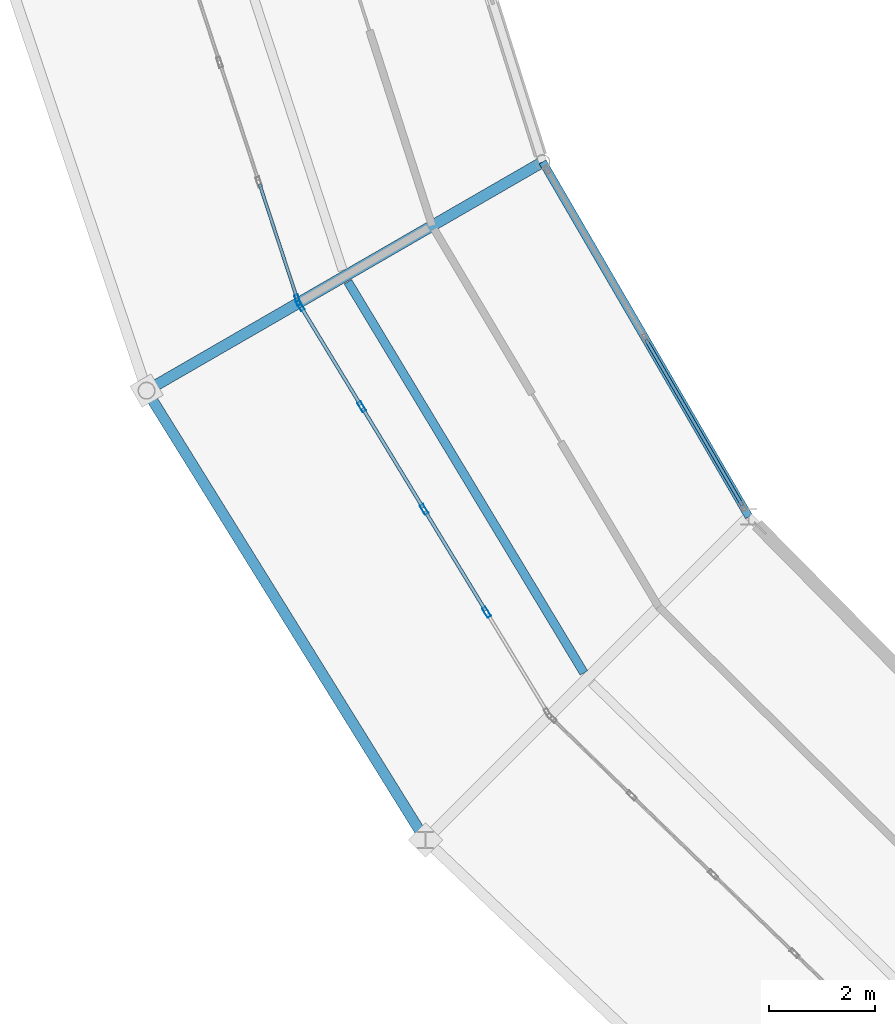
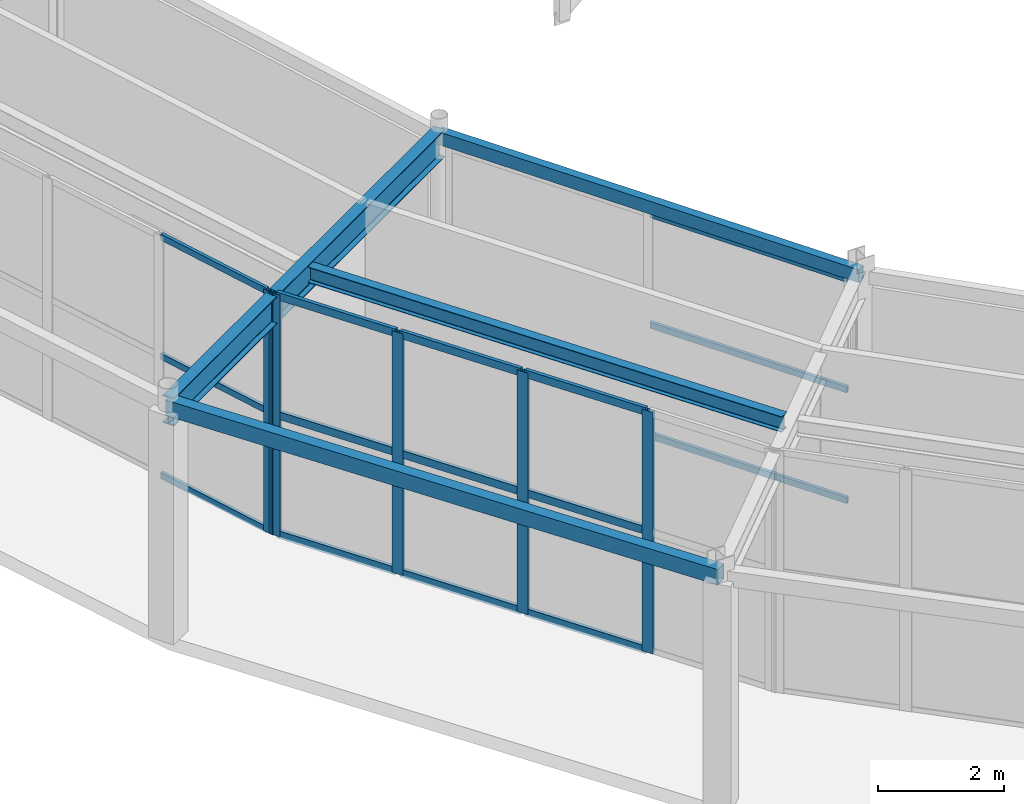
# One storey, part 27 of 144: 20 members, 4 beams, 3 elements without a shape of their own.
"""IFC4 building model written with IfcOpenShell, lengths in metres."""

from ifc_helpers import new_model, si_unit, direction, frame, origin, origin_2d, place, context, subcontext, project, spatial, hollow_rectangle, i_section, extrude, material, material_profile, profile_set, type_object, element, aggregate, save


model = new_model("IFC4")

# Units and contexts
model_context = context("Model", 3, precision=1e-05, world=origin(), true_north=direction((0.0, 1.0)))
body_context = subcontext(model_context, "Body", "Model", "MODEL_VIEW")
ifc_project = project(units=[si_unit("LENGTHUNIT", "METRE"), si_unit("AREAUNIT", "SQUARE_METRE"), si_unit("VOLUMEUNIT", "CUBIC_METRE"), si_unit("PLANEANGLEUNIT", "RADIAN"), si_unit("MASSUNIT", "GRAM", prefix="KILO")], contexts=[model_context])

# Site, building, storey
site_placement = place(None, origin())
site = spatial("IfcSite", under=ifc_project, at=site_placement, CompositionType="ELEMENT")
building_placement = place(site_placement, origin())
building = spatial("IfcBuilding", under=site, at=building_placement, Name="Karori Crest Natural Sciences Institute", CompositionType="ELEMENT")
storey_placement = place(building_placement, origin())
storey = spatial("IfcBuildingStorey", under=building, at=storey_placement, Name="L00", CompositionType="ELEMENT", Elevation=0.0)

# Beams
ifc_material_1 = material(Name="Structural steel AS/NZS 3679.1 Grade 350", Category="steel")
ifc_material_profile_1 = material_profile(ifc_material_1, i_section(OverallWidth=0.208984375, OverallDepth=0.532958984375, WebThickness=0.01025390625, FlangeThickness=0.015625, FilletRadius=0.013916015625, at=origin_2d()), Name="530UB92.4")
ifc_profile_set_1 = profile_set([ifc_material_profile_1], Name="Structural steel AS/NZS 3679.1 Grade 350")
beam_type_1 = type_object("IfcBeamType", Name="BT-05", PredefinedType="BEAM", material=ifc_profile_set_1)
beam_1_placement = place(storey_placement, frame((45.26904296875, 33.800048828125, 4.37353515625), z_axis=(-0.866021068297, -0.500007509209, 0.0), x_axis=(0.500007509209, -0.866021068297, 0.0)))
element("IfcBeam", 1, at=beam_1_placement, inside=storey, type_object=beam_type_1, Name="Beam B-0144", PredefinedType="BEAM", context=body_context, shape_type="SweptSolid", body=[
    extrude(i_section(OverallWidth=0.208984375, OverallDepth=0.532958984375, WebThickness=0.01025390625, FlangeThickness=0.015625, FilletRadius=0.013916015625, at=origin_2d()), origin(), (0.0, 0.0, 1.0), 8.599853515625),
])
ifc_material_profile_2 = material_profile(ifc_material_1, i_section(OverallWidth=0.1650390625, OverallDepth=0.303955078125, WebThickness=0.006103515625, FlangeThickness=0.01025390625, FilletRadius=0.010986328125, at=origin_2d()), Name="310UB40.4")
ifc_profile_set_2 = profile_set([ifc_material_profile_2], Name="Structural steel AS/NZS 3679.1 Grade 350")
beam_type_2 = type_object("IfcBeamType", Name="BT-10", PredefinedType="BEAM", material=ifc_profile_set_2)
beam_2_placement = place(storey_placement, frame((41.607177734375, 31.54736328125, 4.488037109375), z_axis=(0.516601017309, -0.856226248672, 0.0), x_axis=(0.856226248672, 0.516601017309, 0.0)))
element("IfcBeam", 2, at=beam_2_placement, inside=storey, type_object=beam_type_2, Name="Beam B-0145", PredefinedType="BEAM", context=body_context, shape_type="SweptSolid", body=[
    extrude(i_section(OverallWidth=0.1650390625, OverallDepth=0.303955078125, WebThickness=0.006103515625, FlangeThickness=0.01025390625, FilletRadius=0.010986328125, at=origin_2d()), origin(), (0.0, 0.0, 1.0), 8.5888671875),
])
ifc_material_2 = material(Name="Hollow structural steel AS/NZS 1163 Grade C350", Category="steel")
ifc_material_profile_3 = material_profile(ifc_material_2, hollow_rectangle(XDim=0.199951171875, YDim=0.300048828125, WallThickness=0.010009765625, at=origin_2d()), Name="RHS300x200x10")
ifc_profile_set_3 = profile_set([ifc_material_profile_3], Name="Hollow structural steel AS/NZS 1163 Grade C350")
beam_type_3 = type_object("IfcBeamType", Name="BT-15", PredefinedType="SPANDREL", material=ifc_profile_set_3)
beam_3_placement = place(storey_placement, frame((37.8212890625, 29.5, 4.489990234375), z_axis=(0.527315195609, -0.849669750244, 0.0), x_axis=(0.849669750244, 0.527315195609, 0.0)))
element("IfcBeam", 3, at=beam_3_placement, inside=storey, type_object=beam_type_3, Name="Beam B-0142", PredefinedType="SPANDREL", context=body_context, shape_type="SweptSolid", body=[
    extrude(hollow_rectangle(XDim=0.199951171875, YDim=0.300048828125, WallThickness=0.010009765625, at=origin_2d()), origin(), (0.0, 0.0, 1.0), 9.945068359375),
])
ifc_material_profile_4 = material_profile(ifc_material_2, hollow_rectangle(XDim=0.14990234375, YDim=0.25, WallThickness=0.009033203125, at=origin_2d()), Name="RHS250x150x9")
ifc_profile_set_4 = profile_set([ifc_material_profile_4], Name="Hollow structural steel AS/NZS 1163 Grade C350")
beam_type_4 = type_object("IfcBeamType", Name="BT-16", PredefinedType="SPANDREL", material=ifc_profile_set_4)
beam_4_placement = place(storey_placement, frame((45.26904296875, 33.800048828125, 4.489990234375), z_axis=(0.502634759064, -0.86449887159, 0.0), x_axis=(0.86449887159, 0.502634759064, 0.0)))
element("IfcBeam", 4, at=beam_4_placement, inside=storey, type_object=beam_type_4, Name="Beam B-0143", PredefinedType="SPANDREL", context=body_context, shape_type="SweptSolid", body=[
    extrude(hollow_rectangle(XDim=0.14990234375, YDim=0.25, WallThickness=0.009033203125, at=origin_2d()), origin(), (0.0, 0.0, 1.0), 7.714111328125),
])

# Curtain wall, member
ifc_material_3 = material(Name="Anodised architectural aluminium 6063-T6", Category="aluminium")
curtain_wall_type_1 = type_object("IfcCurtainWallType", Name="CWT-04", PredefinedType="NOTDEFINED", material=ifc_material_3)
curtain_wall_1_placement = place(storey_placement, origin())
curtain_wall_1 = element("IfcCurtainWall", 5, at=curtain_wall_1_placement, inside=storey, type_object=curtain_wall_type_1, Name="Curtain wall CW-0017", PredefinedType="NOTDEFINED")
ifc_material_profile_5 = material_profile(ifc_material_3, hollow_rectangle(XDim=0.074951171875, YDim=0.199951171875, WallThickness=0.0048828125, at=origin_2d()), Name="CWM200x75x5")
ifc_profile_set_5 = profile_set([ifc_material_profile_5], Name="Anodised architectural aluminium 6063-T6")
member_type_1 = type_object("IfcMemberType", Name="CWM-02", PredefinedType="MULLION", material=ifc_profile_set_5)
member_1_placement = place(storey_placement, frame((40.6611328125, 31.20458984375, 0.0), z_axis=(0.0, 0.0, 1.0), x_axis=(-0.950175969879, -0.311714013584, 0.0)))
member_1 = element("IfcMember", 6, at=member_1_placement, type_object=member_type_1, Name="CW-0017 mullion 1", PredefinedType="MULLION", context=body_context, shape_type="SweptSolid", body=[
    extrude(hollow_rectangle(XDim=0.074951171875, YDim=0.199951171875, WallThickness=0.0048828125, at=origin_2d()), origin(), (0.0, 0.0, 1.0), 4.679931640625),
])

# Curtain wall, members
curtain_wall_type_2 = type_object("IfcCurtainWallType", Name="CWT-05", PredefinedType="NOTDEFINED", material=ifc_material_3)
curtain_wall_2_placement = place(storey_placement, origin())
curtain_wall_2 = element("IfcCurtainWall", 7, at=curtain_wall_2_placement, inside=storey, type_object=curtain_wall_type_2, Name="Curtain wall CW-0018", PredefinedType="NOTDEFINED")
member_2_placement = place(storey_placement, frame((44.213623046875, 25.333740234375, 0.0), z_axis=(0.0, 0.0, 1.0), x_axis=(-0.854567337323, -0.519340606905, 0.0)))
member_2 = element("IfcMember", 8, at=member_2_placement, type_object=member_type_1, Name="CW-0018 mullion 2", PredefinedType="MULLION", context=body_context, shape_type="SweptSolid", body=[
    extrude(hollow_rectangle(XDim=0.074951171875, YDim=0.199951171875, WallThickness=0.0048828125, at=origin_2d()), origin(), (0.0, 0.0, 1.0), 4.679931640625),
])
member_3_placement = place(storey_placement, frame((43.0390625, 27.266845703125, 0.0), z_axis=(0.0, 0.0, 1.0), x_axis=(-0.854567337323, -0.519340606905, 0.0)))
member_3 = element("IfcMember", 9, at=member_3_placement, type_object=member_type_1, Name="CW-0018 mullion 3", PredefinedType="MULLION", context=body_context, shape_type="SweptSolid", body=[
    extrude(hollow_rectangle(XDim=0.074951171875, YDim=0.199951171875, WallThickness=0.0048828125, at=origin_2d()), origin(), (0.0, 0.0, 1.0), 4.679931640625),
])
member_4_placement = place(storey_placement, frame((41.8642578125, 29.19970703125, 0.0), z_axis=(0.0, 0.0, 1.0), x_axis=(-0.854567337323, -0.519340606905, 0.0)))
member_4 = element("IfcMember", 10, at=member_4_placement, type_object=member_type_1, Name="CW-0018 mullion 4", PredefinedType="MULLION", context=body_context, shape_type="SweptSolid", body=[
    extrude(hollow_rectangle(XDim=0.074951171875, YDim=0.199951171875, WallThickness=0.0048828125, at=origin_2d()), origin(), (0.0, 0.0, 1.0), 4.679931640625),
])
member_5_placement = place(storey_placement, frame((40.708984375, 31.100830078125, 0.0), z_axis=(0.0, 0.0, 1.0), x_axis=(-0.854567337323, -0.519340606905, 0.0)))
member_5 = element("IfcMember", 11, at=member_5_placement, type_object=member_type_1, Name="CW-0018 mullion 5", PredefinedType="MULLION", context=body_context, shape_type="SweptSolid", body=[
    extrude(hollow_rectangle(XDim=0.074951171875, YDim=0.199951171875, WallThickness=0.0048828125, at=origin_2d()), origin(), (0.0, 0.0, 1.0), 4.679931640625),
])

# Member
ifc_material_profile_6 = material_profile(ifc_material_3, hollow_rectangle(XDim=0.06005859375, YDim=0.1201171875, WallThickness=0.00390625, at=origin_2d()), Name="CWT120x60x4")
ifc_profile_set_6 = profile_set([ifc_material_profile_6], Name="Anodised architectural aluminium 6063-T6")
member_type_2 = type_object("IfcMemberType", Name="CWT-TR1", PredefinedType="USERDEFINED", material=ifc_profile_set_6)
member_6_placement = place(storey_placement, frame((40.6494140625, 31.240234375, 0.030029296875), z_axis=(-0.311713965884, 0.950175985527, 0.0), x_axis=(-0.950175985527, -0.311713965884, 0.0)))
member_6 = element("IfcMember", 12, at=member_6_placement, type_object=member_type_2, Name="CW-0017 transom 1.1", ObjectType="TRANSOM", PredefinedType="USERDEFINED", context=body_context, shape_type="SweptSolid", body=[
    extrude(hollow_rectangle(XDim=0.06005859375, YDim=0.1201171875, WallThickness=0.00390625, at=origin_2d()), origin(), (0.0, 0.0, 1.0), 2.25732421875),
])

member_7_placement = place(storey_placement, frame((40.6494140625, 31.240234375, 2.340087890625), z_axis=(-0.311713965884, 0.950175985527, 0.0), x_axis=(-0.950175985527, -0.311713965884, 0.0)))
member_7 = element("IfcMember", 13, at=member_7_placement, type_object=member_type_2, Name="CW-0017 transom 1.2", ObjectType="TRANSOM", PredefinedType="USERDEFINED", context=body_context, shape_type="SweptSolid", body=[
    extrude(hollow_rectangle(XDim=0.06005859375, YDim=0.1201171875, WallThickness=0.00390625, at=origin_2d()), origin(), (0.0, 0.0, 1.0), 2.25732421875),
])

member_8_placement = place(storey_placement, frame((40.6494140625, 31.240234375, 4.64990234375), z_axis=(-0.311713965884, 0.950175985527, 0.0), x_axis=(-0.950175985527, -0.311713965884, 0.0)))
member_8 = element("IfcMember", 14, at=member_8_placement, type_object=member_type_2, Name="CW-0017 transom 1.3", ObjectType="TRANSOM", PredefinedType="USERDEFINED", context=body_context, shape_type="SweptSolid", body=[
    extrude(hollow_rectangle(XDim=0.06005859375, YDim=0.1201171875, WallThickness=0.00390625, at=origin_2d()), origin(), (0.0, 0.0, 1.0), 2.25732421875),
])

aggregate(curtain_wall_1, [member_1, member_6, member_7, member_8])

# Curtain wall, members
curtain_wall_type_3 = type_object("IfcCurtainWallType", Name="CWT-15", PredefinedType="NOTDEFINED", material=ifc_material_3)
curtain_wall_3_placement = place(storey_placement, origin())
curtain_wall_3 = element("IfcCurtainWall", 15, at=curtain_wall_3_placement, inside=storey, type_object=curtain_wall_type_3, Name="Curtain wall CW-0019", PredefinedType="NOTDEFINED")
member_9_placement = place(storey_placement, frame((47.212646484375, 30.457275390625, 0.030029296875), z_axis=(0.502686422749, -0.864468831355, 0.0), x_axis=(0.864468831355, 0.502686422749, 0.0)))
member_9 = element("IfcMember", 16, at=member_9_placement, type_object=member_type_2, Name="CW-0019 transom 2.1", ObjectType="TRANSOM", PredefinedType="USERDEFINED", context=body_context, shape_type="SweptSolid", body=[
    extrude(hollow_rectangle(XDim=0.06005859375, YDim=0.1201171875, WallThickness=0.00390625, at=origin_2d()), origin(), (0.0, 0.0, 1.0), 3.602294921875),
])
member_10_placement = place(storey_placement, frame((47.212646484375, 30.457275390625, 2.175048828125), z_axis=(0.502686422749, -0.864468831355, 0.0), x_axis=(0.864468831355, 0.502686422749, 0.0)))
member_10 = element("IfcMember", 17, at=member_10_placement, type_object=member_type_2, Name="CW-0019 transom 2.2", ObjectType="TRANSOM", PredefinedType="USERDEFINED", context=body_context, shape_type="SweptSolid", body=[
    extrude(hollow_rectangle(XDim=0.06005859375, YDim=0.1201171875, WallThickness=0.00390625, at=origin_2d()), origin(), (0.0, 0.0, 1.0), 3.602294921875),
])
member_11_placement = place(storey_placement, frame((47.212646484375, 30.457275390625, 4.320068359375), z_axis=(0.502686422749, -0.864468831355, 0.0), x_axis=(0.864468831355, 0.502686422749, 0.0)))
member_11 = element("IfcMember", 18, at=member_11_placement, type_object=member_type_2, Name="CW-0019 transom 2.3", ObjectType="TRANSOM", PredefinedType="USERDEFINED", context=body_context, shape_type="SweptSolid", body=[
    extrude(hollow_rectangle(XDim=0.06005859375, YDim=0.1201171875, WallThickness=0.00390625, at=origin_2d()), origin(), (0.0, 0.0, 1.0), 3.602294921875),
])
aggregate(curtain_wall_3, [member_9, member_10, member_11])

# Member
ifc_material_profile_7 = material_profile(ifc_material_3, hollow_rectangle(XDim=0.06494140625, YDim=0.14990234375, WallThickness=0.00390625, at=origin_2d()), Name="CWT150x65x4")
ifc_profile_set_7 = profile_set([ifc_material_profile_7], Name="Anodised architectural aluminium 6063-T6")
member_type_3 = type_object("IfcMemberType", Name="CWT-TR2", PredefinedType="USERDEFINED", material=ifc_profile_set_7)
member_12_placement = place(storey_placement, frame((44.1943359375, 25.36572265625, 0.032470703125), z_axis=(-0.519412101176, 0.854523884483, 0.0), x_axis=(-0.854523884483, -0.519412101176, 0.0)))
member_12 = element("IfcMember", 19, at=member_12_placement, type_object=member_type_3, Name="CW-0018 transom 2.1", ObjectType="TRANSOM", PredefinedType="USERDEFINED", context=body_context, shape_type="SweptSolid", body=[
    extrude(hollow_rectangle(XDim=0.06494140625, YDim=0.14990234375, WallThickness=0.00390625, at=origin_2d()), origin(), (0.0, 0.0, 1.0), 2.18701171875),
])

member_13_placement = place(storey_placement, frame((44.1943359375, 25.36572265625, 2.340087890625), z_axis=(-0.519412101176, 0.854523884483, 0.0), x_axis=(-0.854523884483, -0.519412101176, 0.0)))
member_13 = element("IfcMember", 20, at=member_13_placement, type_object=member_type_3, Name="CW-0018 transom 2.2", ObjectType="TRANSOM", PredefinedType="USERDEFINED", context=body_context, shape_type="SweptSolid", body=[
    extrude(hollow_rectangle(XDim=0.06494140625, YDim=0.14990234375, WallThickness=0.00390625, at=origin_2d()), origin(), (0.0, 0.0, 1.0), 2.18701171875),
])

member_14_placement = place(storey_placement, frame((44.1943359375, 25.36572265625, 4.6474609375), z_axis=(-0.519412101176, 0.854523884483, 0.0), x_axis=(-0.854523884483, -0.519412101176, 0.0)))
member_14 = element("IfcMember", 21, at=member_14_placement, type_object=member_type_3, Name="CW-0018 transom 2.3", ObjectType="TRANSOM", PredefinedType="USERDEFINED", context=body_context, shape_type="SweptSolid", body=[
    extrude(hollow_rectangle(XDim=0.06494140625, YDim=0.14990234375, WallThickness=0.00390625, at=origin_2d()), origin(), (0.0, 0.0, 1.0), 2.18701171875),
])

member_15_placement = place(storey_placement, frame((43.01953125, 27.298828125, 0.032470703125), z_axis=(-0.519412101176, 0.854523884483, 0.0), x_axis=(-0.854523884483, -0.519412101176, 0.0)))
member_15 = element("IfcMember", 22, at=member_15_placement, type_object=member_type_3, Name="CW-0018 transom 3.1", ObjectType="TRANSOM", PredefinedType="USERDEFINED", context=body_context, shape_type="SweptSolid", body=[
    extrude(hollow_rectangle(XDim=0.06494140625, YDim=0.14990234375, WallThickness=0.00390625, at=origin_2d()), origin(), (0.0, 0.0, 1.0), 2.18701171875),
])

member_16_placement = place(storey_placement, frame((43.01953125, 27.298828125, 2.340087890625), z_axis=(-0.519412101176, 0.854523884483, 0.0), x_axis=(-0.854523884483, -0.519412101176, 0.0)))
member_16 = element("IfcMember", 23, at=member_16_placement, type_object=member_type_3, Name="CW-0018 transom 3.2", ObjectType="TRANSOM", PredefinedType="USERDEFINED", context=body_context, shape_type="SweptSolid", body=[
    extrude(hollow_rectangle(XDim=0.06494140625, YDim=0.14990234375, WallThickness=0.00390625, at=origin_2d()), origin(), (0.0, 0.0, 1.0), 2.18701171875),
])

member_17_placement = place(storey_placement, frame((43.01953125, 27.298828125, 4.6474609375), z_axis=(-0.519412101176, 0.854523884483, 0.0), x_axis=(-0.854523884483, -0.519412101176, 0.0)))
member_17 = element("IfcMember", 24, at=member_17_placement, type_object=member_type_3, Name="CW-0018 transom 3.3", ObjectType="TRANSOM", PredefinedType="USERDEFINED", context=body_context, shape_type="SweptSolid", body=[
    extrude(hollow_rectangle(XDim=0.06494140625, YDim=0.14990234375, WallThickness=0.00390625, at=origin_2d()), origin(), (0.0, 0.0, 1.0), 2.18701171875),
])

member_18_placement = place(storey_placement, frame((41.8447265625, 29.23193359375, 0.032470703125), z_axis=(-0.519381148142, 0.854542698146, 0.0), x_axis=(-0.854542698146, -0.519381148142, 0.0)))
member_18 = element("IfcMember", 25, at=member_18_placement, type_object=member_type_3, Name="CW-0018 transom 4.1", ObjectType="TRANSOM", PredefinedType="USERDEFINED", context=body_context, shape_type="SweptSolid", body=[
    extrude(hollow_rectangle(XDim=0.06494140625, YDim=0.14990234375, WallThickness=0.00390625, at=origin_2d()), origin(), (0.0, 0.0, 1.0), 2.149658203125),
])

member_19_placement = place(storey_placement, frame((41.8447265625, 29.23193359375, 2.340087890625), z_axis=(-0.519381148142, 0.854542698146, 0.0), x_axis=(-0.854542698146, -0.519381148142, 0.0)))
member_19 = element("IfcMember", 26, at=member_19_placement, type_object=member_type_3, Name="CW-0018 transom 4.2", ObjectType="TRANSOM", PredefinedType="USERDEFINED", context=body_context, shape_type="SweptSolid", body=[
    extrude(hollow_rectangle(XDim=0.06494140625, YDim=0.14990234375, WallThickness=0.00390625, at=origin_2d()), origin(), (0.0, 0.0, 1.0), 2.149658203125),
])

member_20_placement = place(storey_placement, frame((41.8447265625, 29.23193359375, 4.6474609375), z_axis=(-0.519381148142, 0.854542698146, 0.0), x_axis=(-0.854542698146, -0.519381148142, 0.0)))
member_20 = element("IfcMember", 27, at=member_20_placement, type_object=member_type_3, Name="CW-0018 transom 4.3", ObjectType="TRANSOM", PredefinedType="USERDEFINED", context=body_context, shape_type="SweptSolid", body=[
    extrude(hollow_rectangle(XDim=0.06494140625, YDim=0.14990234375, WallThickness=0.00390625, at=origin_2d()), origin(), (0.0, 0.0, 1.0), 2.149658203125),
])

aggregate(curtain_wall_2, [member_2, member_3, member_4, member_5, member_12, member_13, member_14, member_15, member_16, member_17, member_18, member_19, member_20])

save(model, "model.ifc")
